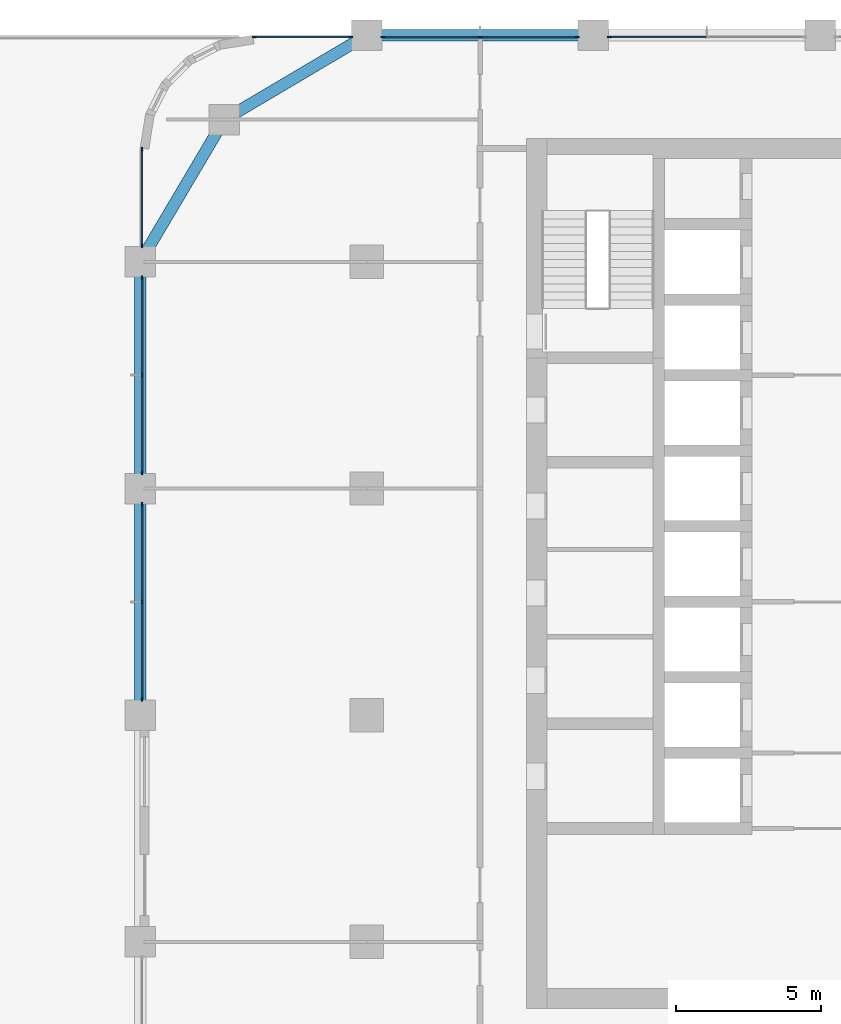
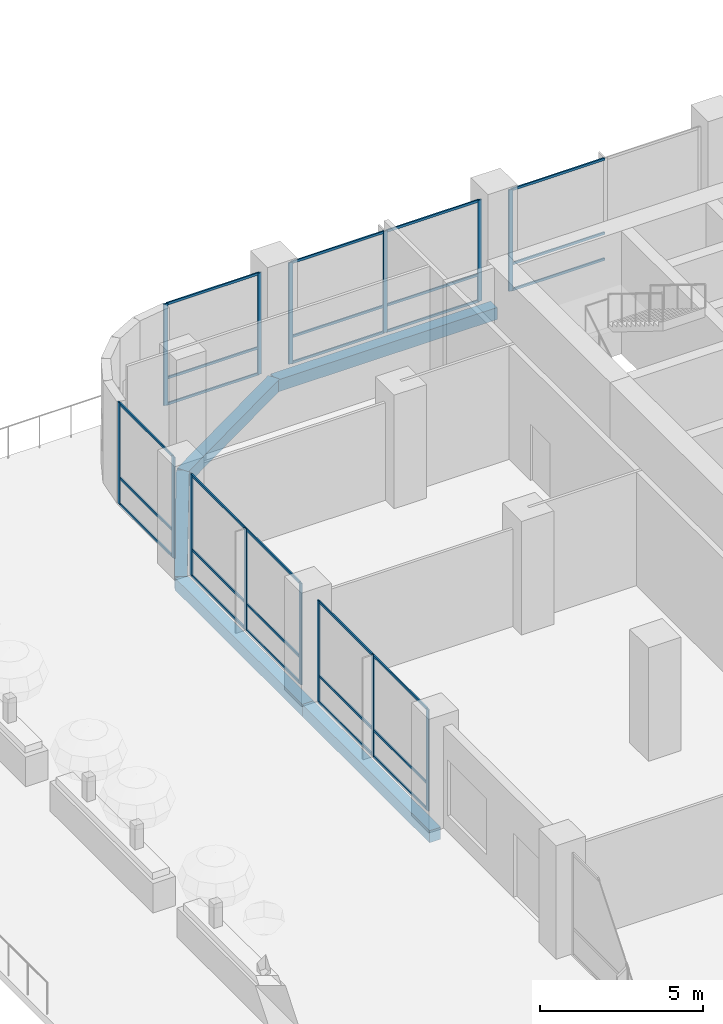
# One storey, part 6 of 31: 41 members, 5 beams, 6 elements without a shape of their own.
"""IFC4 building model written with IfcOpenShell, lengths in metres."""

import ifcopenshell
import ifcopenshell.guid

model = None  # the IFC model being written
_history = None  # IfcOwnerHistory: only IFC2X3 demands one
_inside = {}  # id of a spatial element -> (the spatial element, [elements in it])
_under = {}  # id of a project, library or spatial element -> (it, [spatial elements below it])
_declared = {}  # id of a project -> (the project, [libraries it declares])
_typed = {}  # id of a type object -> (the type object, [elements of that type])
_made_of = {}  # id of a material, layer set ... -> (it, [elements and type objects made of it])


def new_model(schema):
    """Start an empty IFC model of exactly this schema.

    Asked for "IFC4X3", IfcOpenShell would pick the latest addendum, in which some entities
    have other attributes; the version numbers below select the first issue.
    IFC2X3 requires an IfcOwnerHistory on every rooted entity: one is made here for all.
    """
    global model, _history
    if schema == "IFC4X3":
        model = ifcopenshell.file(schema_version=(4, 3, 0, 0))
    else:
        model = ifcopenshell.file(schema=schema)
    _inside.clear()
    _under.clear()
    _declared.clear()
    _typed.clear()
    _made_of.clear()
    _history = None
    if model.schema == "IFC2X3":
        org = make("IfcOrganization", Name="unknown")
        user = make(
            "IfcPersonAndOrganization",
            ThePerson=make("IfcPerson", FamilyName="unknown"),
            TheOrganization=org,
        )
        app = make(
            "IfcApplication",
            ApplicationDeveloper=org,
            Version="unknown",
            ApplicationFullName="unknown",
            ApplicationIdentifier="unknown",
        )
        _history = make(
            "IfcOwnerHistory",
            OwningUser=user,
            OwningApplication=app,
            ChangeAction="ADDED",
            CreationDate=0,
        )
    return model


def make(cls, **values):
    """One entity of the class cls with the attributes given. An attribute that is None is left unset."""
    return model.create_entity(
        cls, **{name: value for name, value in values.items() if value is not None}
    )


def rooted(cls, **values):
    """An entity with a GlobalId (a new one), such as an element, a storey or a relation."""
    return make(cls, GlobalId=ifcopenshell.guid.new(), OwnerHistory=_history, **values)


def si_unit(unit_type, name, prefix=None):
    """IfcSIUnit, for example si_unit("LENGTHUNIT", "METRE", prefix="MILLI")."""
    return make("IfcSIUnit", UnitType=unit_type, Prefix=prefix, Name=name)


def assignment(units):
    """IfcUnitAssignment: the units of a project."""
    return None if units is None else make("IfcUnitAssignment", Units=units)


def point(xyz):
    """IfcCartesianPoint."""
    return None if xyz is None else make("IfcCartesianPoint", Coordinates=xyz)


def direction(xyz):
    """IfcDirection."""
    return None if xyz is None else make("IfcDirection", DirectionRatios=xyz)


def frame(location, z_axis=None, x_axis=None):
    """IfcAxis2Placement3D, a coordinate frame: its origin and axes. An axis left out is left unset."""
    return make(
        "IfcAxis2Placement3D",
        Location=point(location),
        Axis=direction(z_axis),
        RefDirection=direction(x_axis),
    )


def frame_2d(location, x_axis=None):
    """IfcAxis2Placement2D, a coordinate frame in the plane: its origin and x axis."""
    return make(
        "IfcAxis2Placement2D", Location=point(location), RefDirection=direction(x_axis)
    )


def origin():
    """The frame at (0, 0, 0) with its axes left unset."""
    return frame((0.0, 0.0, 0.0))


def origin_2d():
    """The frame at (0, 0) in the plane with its x axis left unset."""
    return frame_2d((0.0, 0.0))


def place(relative_to, where):
    """IfcLocalPlacement: puts the frame where relative to a parent placement (None: the world)."""
    return make(
        "IfcLocalPlacement", PlacementRelTo=relative_to, RelativePlacement=where
    )


def context(
    kind, dimensions, precision=None, world=None, true_north=None, identifier=None
):
    """IfcGeometricRepresentationContext, for example the 3D "Model" context."""
    return make(
        "IfcGeometricRepresentationContext",
        ContextIdentifier=identifier,
        ContextType=kind,
        CoordinateSpaceDimension=dimensions,
        Precision=precision,
        WorldCoordinateSystem=world,
        TrueNorth=true_north,
    )


def subcontext(parent, identifier, kind, view, scale=None):
    """IfcGeometricRepresentationSubContext, for example "Body" below "Model"."""
    return make(
        "IfcGeometricRepresentationSubContext",
        ContextIdentifier=identifier,
        ContextType=kind,
        ParentContext=parent,
        TargetScale=scale,
        TargetView=view,
    )


def project(units=None, contexts=None):
    """IfcProject with its units and contexts."""
    return rooted(
        "IfcProject",
        Name="project",
        RepresentationContexts=contexts,
        UnitsInContext=assignment(units),
    )


def spatial(cls, under=None, at=None, **own):
    """A site, building, storey or space (cls), placed at a placement, below another one or the project."""
    s = rooted(cls, ObjectPlacement=at, **own)
    if under is not None:
        _under.setdefault(under.id(), (under, []))[1].append(s)
    return s


def profile(cls, at=None, kind="AREA", **sizes):
    """A parametric profile (cls). Its sizes go by their IFC names, for example OverallWidth=200.0."""
    return make(cls, ProfileType=kind, Position=at, **sizes)


def rectangle(**sizes):
    """IfcRectangleProfileDef."""
    return profile("IfcRectangleProfileDef", **sizes)


def extrude(swept, where, along, depth):
    """IfcExtrudedAreaSolid: the profile swept, set in the frame where, extruded along a direction by depth."""
    return make(
        "IfcExtrudedAreaSolid",
        SweptArea=swept,
        Position=where,
        ExtrudedDirection=direction(along),
        Depth=depth,
    )


def shape(context_of_items, identifier, shape_type, items):
    """IfcShapeRepresentation: the items that make up one representation, for example the "Body"."""
    return make(
        "IfcShapeRepresentation",
        ContextOfItems=context_of_items,
        RepresentationIdentifier=identifier,
        RepresentationType=shape_type,
        Items=items,
    )


def material(Name=None, Category=None):
    """IfcMaterial."""
    return make("IfcMaterial", Name=Name, Category=Category)


def material_profile(
    of_material, cross_section, Name=None, Category=None, Priority=None
):
    """IfcMaterialProfile: a cross section and its material."""
    return make(
        "IfcMaterialProfile",
        Name=Name,
        Material=of_material,
        Profile=cross_section,
        Priority=Priority,
        Category=Category,
    )


def profile_set(profiles, Name=None, composite=None):
    """IfcMaterialProfileSet."""
    return make(
        "IfcMaterialProfileSet",
        Name=Name,
        MaterialProfiles=profiles,
        CompositeProfile=composite,
    )


def made_of(thing, what):
    """Note that an element or type object is made of a material, layer set ...; save() writes the relation."""
    if what is not None:
        _made_of.setdefault(what.id(), (what, []))[1].append(thing)
    return thing


def type_object(cls, material=None, **own):
    """A type object (cls), such as IfcWallType, which elements share."""
    return made_of(rooted(cls, **own), material)


def element(
    cls,
    number,
    at=None,
    inside=None,
    cuts=None,
    type_object=None,
    material=None,
    context=None,
    identifier="Body",
    shape_type=None,
    held_by="IfcProductDefinitionShape",
    body=None,
    shapes=None,
    **own,
):
    """One element of the class cls, such as IfcWall. Its Tag is "e" and its number.

    at: its placement. inside: the storey or other place that contains it. cuts: it is an
    opening in that element (IfcRelVoidsElement). A single representation is given by context,
    identifier, shape_type and body (its items); several are given by shapes. held_by: the class
    of the entity that holds the representations. save() writes the other relations.
    """
    e = rooted(cls, Tag="e%d" % number, ObjectPlacement=at, **own)
    if body is not None:
        shapes = [shape(context, identifier, shape_type, body)]
    if shapes is not None:
        e.Representation = make(held_by, Representations=shapes)
    if inside is not None:
        _inside.setdefault(inside.id(), (inside, []))[1].append(e)
    if cuts is not None:
        rooted(
            "IfcRelVoidsElement", RelatingBuildingElement=cuts, RelatedOpeningElement=e
        )
    if type_object is not None:
        _typed.setdefault(type_object.id(), (type_object, []))[1].append(e)
    return made_of(e, material)


def aggregate(whole, parts):
    """IfcRelAggregates: a whole, such as a stair, and the parts it consists of."""
    return rooted("IfcRelAggregates", RelatingObject=whole, RelatedObjects=parts)


def save(model, path):
    """Write the relations noted so far, then the file.

    IfcRelAggregates (storeys below a building ...), IfcRelContainedInSpatialStructure (elements
    in a storey), IfcRelDefinesByType, IfcRelAssociatesMaterial and IfcRelDeclares: one each for
    every whole, place, type object, material and project.
    """
    for whole, parts in _under.values():
        aggregate(whole, parts)
    for where, things in _inside.values():
        rooted(
            "IfcRelContainedInSpatialStructure",
            RelatedElements=things,
            RelatingStructure=where,
        )
    for kind, things in _typed.values():
        rooted("IfcRelDefinesByType", RelatedObjects=things, RelatingType=kind)
    for what, things in _made_of.values():
        rooted("IfcRelAssociatesMaterial", RelatedObjects=things, RelatingMaterial=what)
    for by, libraries in _declared.values():
        rooted("IfcRelDeclares", RelatingContext=by, RelatedDefinitions=libraries)
    model.write(path)


model = new_model("IFC4")

# Units and contexts
model_context = context("Model", 3, precision=1e-05, world=origin(), true_north=direction((0.0, 1.0)))
body_context = subcontext(model_context, "Body", "Model", "MODEL_VIEW")
ifc_project = project(units=[si_unit("LENGTHUNIT", "METRE"), si_unit("AREAUNIT", "SQUARE_METRE"), si_unit("VOLUMEUNIT", "CUBIC_METRE"), si_unit("PLANEANGLEUNIT", "RADIAN"), si_unit("MASSUNIT", "GRAM", prefix="KILO")], contexts=[model_context])

# Site, building, storey
site_placement = place(None, origin())
site = spatial("IfcSite", under=ifc_project, at=site_placement, CompositionType="ELEMENT")
building_placement = place(site_placement, origin())
building = spatial("IfcBuilding", under=site, at=building_placement, Name="Ludao Terraces", CompositionType="ELEMENT")
storey_placement = place(building_placement, frame((0.0, 0.0, 15.0)))
storey = spatial("IfcBuildingStorey", under=building, at=storey_placement, Name="L03", CompositionType="ELEMENT", Elevation=15.0)

# Curtain wall, members
ifc_material_1 = material(Name="Aluminium curtain wall with fritted glass", Category="aluminium")
curtain_wall_type = type_object("IfcCurtainWallType", Name="ENV CW5 amenity glazing", PredefinedType="NOTDEFINED", material=ifc_material_1)
curtain_wall_1_placement = place(storey_placement, origin())
curtain_wall_1 = element("IfcCurtainWall", 1, at=curtain_wall_1_placement, inside=storey, type_object=curtain_wall_type, Name="Amenity glazing L03 N1", PredefinedType="NOTDEFINED")
ifc_material_2 = material(Name="Aluminium 6063-T6", Category="aluminium")
ifc_material_profile_1 = material_profile(ifc_material_2, rectangle(XDim=0.050048828125, YDim=0.139892578125, at=origin_2d()), Name="50 X 140")
ifc_profile_set_1 = profile_set([ifc_material_profile_1], Name="Aluminium 6063-T6")
member_type_1 = type_object("IfcMemberType", Name="ENV CW5 mullion 50x140", PredefinedType="MULLION", material=ifc_profile_set_1)
member_1_placement = place(storey_placement, frame((65.52490234375, 88.340087890625, 0.0), z_axis=(0.0, 0.0, 1.0), x_axis=(0.0, 1.0, 0.0)))
member_1 = element("IfcMember", 2, at=member_1_placement, type_object=member_type_1, Name="CW5 mullion 1", PredefinedType="MULLION", context=body_context, shape_type="SweptSolid", body=[
    extrude(rectangle(XDim=0.050048828125, YDim=0.139892578125, at=origin_2d()), origin(), (0.0, 0.0, 1.0), 3.800048828125),
])
member_2_placement = place(storey_placement, frame((68.85009765625, 88.340087890625, 0.0), z_axis=(0.0, 0.0, 1.0), x_axis=(0.0, 1.0, 0.0)))
member_2 = element("IfcMember", 3, at=member_2_placement, type_object=member_type_1, Name="CW5 mullion 2", PredefinedType="MULLION", context=body_context, shape_type="SweptSolid", body=[
    extrude(rectangle(XDim=0.050048828125, YDim=0.139892578125, at=origin_2d()), origin(), (0.0, 0.0, 1.0), 3.800048828125),
])

curtain_wall_2_placement = place(storey_placement, origin())
curtain_wall_2 = element("IfcCurtainWall", 4, at=curtain_wall_2_placement, inside=storey, type_object=curtain_wall_type, Name="Amenity glazing L03 N2", PredefinedType="NOTDEFINED")
member_3_placement = place(storey_placement, frame((69.949951171875, 88.340087890625, 0.0), z_axis=(0.0, 0.0, 1.0), x_axis=(0.0, 1.0, 0.0)))
member_3 = element("IfcMember", 5, at=member_3_placement, type_object=member_type_1, Name="CW5 mullion 1", PredefinedType="MULLION", context=body_context, shape_type="SweptSolid", body=[
    extrude(rectangle(XDim=0.050048828125, YDim=0.139892578125, at=origin_2d()), origin(), (0.0, 0.0, 1.0), 3.800048828125),
])
member_4_placement = place(storey_placement, frame((73.300048828125, 88.340087890625, 0.0), z_axis=(0.0, 0.0, 1.0), x_axis=(0.0, 1.0, 0.0)))
member_4 = element("IfcMember", 6, at=member_4_placement, type_object=member_type_1, Name="CW5 mullion 2", PredefinedType="MULLION", context=body_context, shape_type="SweptSolid", body=[
    extrude(rectangle(XDim=0.050048828125, YDim=0.139892578125, at=origin_2d()), origin(), (0.0, 0.0, 1.0), 3.800048828125),
])
member_5_placement = place(storey_placement, frame((76.64990234375, 88.340087890625, 0.0), z_axis=(0.0, 0.0, 1.0), x_axis=(0.0, 1.0, 0.0)))
member_5 = element("IfcMember", 7, at=member_5_placement, type_object=member_type_1, Name="CW5 mullion 3", PredefinedType="MULLION", context=body_context, shape_type="SweptSolid", body=[
    extrude(rectangle(XDim=0.050048828125, YDim=0.139892578125, at=origin_2d()), origin(), (0.0, 0.0, 1.0), 3.800048828125),
])

# Curtain wall, member
curtain_wall_3_placement = place(storey_placement, origin())
curtain_wall_3 = element("IfcCurtainWall", 8, at=curtain_wall_3_placement, inside=storey, type_object=curtain_wall_type, Name="Amenity glazing L03 N3", PredefinedType="NOTDEFINED")
member_6_placement = place(storey_placement, frame((77.75, 88.340087890625, 0.0), z_axis=(0.0, 0.0, 1.0), x_axis=(0.0, 1.0, 0.0)))
member_6 = element("IfcMember", 9, at=member_6_placement, type_object=member_type_1, Name="CW5 mullion 1", PredefinedType="MULLION", context=body_context, shape_type="SweptSolid", body=[
    extrude(rectangle(XDim=0.050048828125, YDim=0.139892578125, at=origin_2d()), origin(), (0.0, 0.0, 1.0), 3.800048828125),
])

# Curtain wall, members
curtain_wall_4_placement = place(storey_placement, origin())
curtain_wall_4 = element("IfcCurtainWall", 10, at=curtain_wall_4_placement, inside=storey, type_object=curtain_wall_type, Name="Amenity glazing L03 W4", PredefinedType="NOTDEFINED")
member_7_placement = place(storey_placement, frame((61.659912109375, 65.550048828125, 0.0), z_axis=(0.0, 0.0, 1.0), x_axis=(-1.0, 0.0, 0.0)))
member_7 = element("IfcMember", 11, at=member_7_placement, type_object=member_type_1, Name="CW5 mullion 1", PredefinedType="MULLION", context=body_context, shape_type="SweptSolid", body=[
    extrude(rectangle(XDim=0.050048828125, YDim=0.139892578125, at=origin_2d()), origin(), (0.0, 0.0, 1.0), 3.800048828125),
])
member_8_placement = place(storey_placement, frame((61.659912109375, 68.89990234375, 0.0), z_axis=(0.0, 0.0, 1.0), x_axis=(-1.0, 0.0, 0.0)))
member_8 = element("IfcMember", 12, at=member_8_placement, type_object=member_type_1, Name="CW5 mullion 2", PredefinedType="MULLION", context=body_context, shape_type="SweptSolid", body=[
    extrude(rectangle(XDim=0.050048828125, YDim=0.139892578125, at=origin_2d()), origin(), (0.0, 0.0, 1.0), 3.800048828125),
])
member_9_placement = place(storey_placement, frame((61.659912109375, 72.25, 0.0), z_axis=(0.0, 0.0, 1.0), x_axis=(-1.0, 0.0, 0.0)))
member_9 = element("IfcMember", 13, at=member_9_placement, type_object=member_type_1, Name="CW5 mullion 3", PredefinedType="MULLION", context=body_context, shape_type="SweptSolid", body=[
    extrude(rectangle(XDim=0.050048828125, YDim=0.139892578125, at=origin_2d()), origin(), (0.0, 0.0, 1.0), 3.800048828125),
])

curtain_wall_5_placement = place(storey_placement, origin())
curtain_wall_5 = element("IfcCurtainWall", 14, at=curtain_wall_5_placement, inside=storey, type_object=curtain_wall_type, Name="Amenity glazing L03 W5", PredefinedType="NOTDEFINED")
member_10_placement = place(storey_placement, frame((61.659912109375, 73.35009765625, 0.0), z_axis=(0.0, 0.0, 1.0), x_axis=(-1.0, 0.0, 0.0)))
member_10 = element("IfcMember", 15, at=member_10_placement, type_object=member_type_1, Name="CW5 mullion 1", PredefinedType="MULLION", context=body_context, shape_type="SweptSolid", body=[
    extrude(rectangle(XDim=0.050048828125, YDim=0.139892578125, at=origin_2d()), origin(), (0.0, 0.0, 1.0), 3.800048828125),
])
member_11_placement = place(storey_placement, frame((61.659912109375, 76.699951171875, 0.0), z_axis=(0.0, 0.0, 1.0), x_axis=(-1.0, 0.0, 0.0)))
member_11 = element("IfcMember", 16, at=member_11_placement, type_object=member_type_1, Name="CW5 mullion 2", PredefinedType="MULLION", context=body_context, shape_type="SweptSolid", body=[
    extrude(rectangle(XDim=0.050048828125, YDim=0.139892578125, at=origin_2d()), origin(), (0.0, 0.0, 1.0), 3.800048828125),
])
member_12_placement = place(storey_placement, frame((61.659912109375, 80.050048828125, 0.0), z_axis=(0.0, 0.0, 1.0), x_axis=(-1.0, 0.0, 0.0)))
member_12 = element("IfcMember", 17, at=member_12_placement, type_object=member_type_1, Name="CW5 mullion 3", PredefinedType="MULLION", context=body_context, shape_type="SweptSolid", body=[
    extrude(rectangle(XDim=0.050048828125, YDim=0.139892578125, at=origin_2d()), origin(), (0.0, 0.0, 1.0), 3.800048828125),
])

curtain_wall_6_placement = place(storey_placement, origin())
curtain_wall_6 = element("IfcCurtainWall", 18, at=curtain_wall_6_placement, inside=storey, type_object=curtain_wall_type, Name="Amenity glazing L03 W6", PredefinedType="NOTDEFINED")
member_13_placement = place(storey_placement, frame((61.659912109375, 81.14990234375, 0.0), z_axis=(0.0, 0.0, 1.0), x_axis=(-1.0, 0.0, 0.0)))
member_13 = element("IfcMember", 19, at=member_13_placement, type_object=member_type_1, Name="CW5 mullion 1", PredefinedType="MULLION", context=body_context, shape_type="SweptSolid", body=[
    extrude(rectangle(XDim=0.050048828125, YDim=0.139892578125, at=origin_2d()), origin(), (0.0, 0.0, 1.0), 3.800048828125),
])
member_14_placement = place(storey_placement, frame((61.659912109375, 84.47509765625, 0.0), z_axis=(0.0, 0.0, 1.0), x_axis=(-1.0, 0.0, 0.0)))
member_14 = element("IfcMember", 20, at=member_14_placement, type_object=member_type_1, Name="CW5 mullion 2", PredefinedType="MULLION", context=body_context, shape_type="SweptSolid", body=[
    extrude(rectangle(XDim=0.050048828125, YDim=0.139892578125, at=origin_2d()), origin(), (0.0, 0.0, 1.0), 3.800048828125),
])

# Member
ifc_material_profile_2 = material_profile(ifc_material_2, rectangle(XDim=0.050048828125, YDim=0.090087890625, at=origin_2d()), Name="50 X 90")
ifc_profile_set_2 = profile_set([ifc_material_profile_2], Name="Aluminium 6063-T6")
member_type_2 = type_object("IfcMemberType", Name="ENV CW5 transom 50x90", PredefinedType="USERDEFINED", material=ifc_profile_set_2)
member_15_placement = place(storey_placement, frame((65.550048828125, 88.340087890625, 0.02490234375), z_axis=(1.0, 0.0, 0.0), x_axis=(0.0, 1.0, 0.0)))
member_15 = element("IfcMember", 21, at=member_15_placement, type_object=member_type_2, Name="CW5 transom 1.1", ObjectType="TRANSOM", PredefinedType="USERDEFINED", context=body_context, shape_type="SweptSolid", body=[
    extrude(rectangle(XDim=0.050048828125, YDim=0.090087890625, at=origin_2d()), origin(), (0.0, 0.0, 1.0), 3.27490234375),
])

member_16_placement = place(storey_placement, frame((65.550048828125, 88.340087890625, 1.0), z_axis=(1.0, 0.0, 0.0), x_axis=(0.0, 1.0, 0.0)))
member_16 = element("IfcMember", 22, at=member_16_placement, type_object=member_type_2, Name="CW5 transom 1.2", ObjectType="TRANSOM", PredefinedType="USERDEFINED", context=body_context, shape_type="SweptSolid", body=[
    extrude(rectangle(XDim=0.050048828125, YDim=0.090087890625, at=origin_2d()), origin(), (0.0, 0.0, 1.0), 3.27490234375),
])

member_17_placement = place(storey_placement, frame((65.550048828125, 88.340087890625, 3.77490234375), z_axis=(1.0, 0.0, 0.0), x_axis=(0.0, 1.0, 0.0)))
member_17 = element("IfcMember", 23, at=member_17_placement, type_object=member_type_2, Name="CW5 transom 1.3", ObjectType="TRANSOM", PredefinedType="USERDEFINED", context=body_context, shape_type="SweptSolid", body=[
    extrude(rectangle(XDim=0.050048828125, YDim=0.090087890625, at=origin_2d()), origin(), (0.0, 0.0, 1.0), 3.27490234375),
])

aggregate(curtain_wall_1, [member_1, member_2, member_15, member_16, member_17])

member_18_placement = place(storey_placement, frame((69.97509765625, 88.340087890625, 0.02490234375), z_axis=(1.0, 0.0, 0.0), x_axis=(0.0, 1.0, 0.0)))
member_18 = element("IfcMember", 24, at=member_18_placement, type_object=member_type_2, Name="CW5 transom 1.1", ObjectType="TRANSOM", PredefinedType="USERDEFINED", context=body_context, shape_type="SweptSolid", body=[
    extrude(rectangle(XDim=0.050048828125, YDim=0.090087890625, at=origin_2d()), origin(), (0.0, 0.0, 1.0), 3.2998046875),
])

member_19_placement = place(storey_placement, frame((69.97509765625, 88.340087890625, 1.0), z_axis=(1.0, 0.0, 0.0), x_axis=(0.0, 1.0, 0.0)))
member_19 = element("IfcMember", 25, at=member_19_placement, type_object=member_type_2, Name="CW5 transom 1.2", ObjectType="TRANSOM", PredefinedType="USERDEFINED", context=body_context, shape_type="SweptSolid", body=[
    extrude(rectangle(XDim=0.050048828125, YDim=0.090087890625, at=origin_2d()), origin(), (0.0, 0.0, 1.0), 3.2998046875),
])

member_20_placement = place(storey_placement, frame((69.97509765625, 88.340087890625, 3.77490234375), z_axis=(1.0, 0.0, 0.0), x_axis=(0.0, 1.0, 0.0)))
member_20 = element("IfcMember", 26, at=member_20_placement, type_object=member_type_2, Name="CW5 transom 1.3", ObjectType="TRANSOM", PredefinedType="USERDEFINED", context=body_context, shape_type="SweptSolid", body=[
    extrude(rectangle(XDim=0.050048828125, YDim=0.090087890625, at=origin_2d()), origin(), (0.0, 0.0, 1.0), 3.2998046875),
])

member_21_placement = place(storey_placement, frame((73.324951171875, 88.340087890625, 0.02490234375), z_axis=(1.0, 0.0, 0.0), x_axis=(0.0, 1.0, 0.0)))
member_21 = element("IfcMember", 27, at=member_21_placement, type_object=member_type_2, Name="CW5 transom 2.1", ObjectType="TRANSOM", PredefinedType="USERDEFINED", context=body_context, shape_type="SweptSolid", body=[
    extrude(rectangle(XDim=0.050048828125, YDim=0.090087890625, at=origin_2d()), origin(), (0.0, 0.0, 1.0), 3.300048828125),
])

member_22_placement = place(storey_placement, frame((73.324951171875, 88.340087890625, 1.0), z_axis=(1.0, 0.0, 0.0), x_axis=(0.0, 1.0, 0.0)))
member_22 = element("IfcMember", 28, at=member_22_placement, type_object=member_type_2, Name="CW5 transom 2.2", ObjectType="TRANSOM", PredefinedType="USERDEFINED", context=body_context, shape_type="SweptSolid", body=[
    extrude(rectangle(XDim=0.050048828125, YDim=0.090087890625, at=origin_2d()), origin(), (0.0, 0.0, 1.0), 3.300048828125),
])

member_23_placement = place(storey_placement, frame((73.324951171875, 88.340087890625, 3.77490234375), z_axis=(1.0, 0.0, 0.0), x_axis=(0.0, 1.0, 0.0)))
member_23 = element("IfcMember", 29, at=member_23_placement, type_object=member_type_2, Name="CW5 transom 2.3", ObjectType="TRANSOM", PredefinedType="USERDEFINED", context=body_context, shape_type="SweptSolid", body=[
    extrude(rectangle(XDim=0.050048828125, YDim=0.090087890625, at=origin_2d()), origin(), (0.0, 0.0, 1.0), 3.300048828125),
])

aggregate(curtain_wall_2, [member_3, member_4, member_5, member_18, member_19, member_20, member_21, member_22, member_23])

member_24_placement = place(storey_placement, frame((77.77490234375, 88.340087890625, 0.02490234375), z_axis=(1.0, 0.0, 0.0), x_axis=(0.0, 1.0, 0.0)))
member_24 = element("IfcMember", 30, at=member_24_placement, type_object=member_type_2, Name="CW5 transom 1.1", ObjectType="TRANSOM", PredefinedType="USERDEFINED", context=body_context, shape_type="SweptSolid", body=[
    extrude(rectangle(XDim=0.050048828125, YDim=0.090087890625, at=origin_2d()), origin(), (0.0, 0.0, 1.0), 3.300048828125),
])

member_25_placement = place(storey_placement, frame((77.77490234375, 88.340087890625, 1.0), z_axis=(1.0, 0.0, 0.0), x_axis=(0.0, 1.0, 0.0)))
member_25 = element("IfcMember", 31, at=member_25_placement, type_object=member_type_2, Name="CW5 transom 1.2", ObjectType="TRANSOM", PredefinedType="USERDEFINED", context=body_context, shape_type="SweptSolid", body=[
    extrude(rectangle(XDim=0.050048828125, YDim=0.090087890625, at=origin_2d()), origin(), (0.0, 0.0, 1.0), 3.300048828125),
])

member_26_placement = place(storey_placement, frame((77.77490234375, 88.340087890625, 3.77490234375), z_axis=(1.0, 0.0, 0.0), x_axis=(0.0, 1.0, 0.0)))
member_26 = element("IfcMember", 32, at=member_26_placement, type_object=member_type_2, Name="CW5 transom 1.3", ObjectType="TRANSOM", PredefinedType="USERDEFINED", context=body_context, shape_type="SweptSolid", body=[
    extrude(rectangle(XDim=0.050048828125, YDim=0.090087890625, at=origin_2d()), origin(), (0.0, 0.0, 1.0), 3.300048828125),
])

aggregate(curtain_wall_3, [member_6, member_24, member_25, member_26])

member_27_placement = place(storey_placement, frame((61.659912109375, 65.574951171875, 0.02490234375), z_axis=(0.0, 1.0, 0.0), x_axis=(-1.0, 0.0, 0.0)))
member_27 = element("IfcMember", 33, at=member_27_placement, type_object=member_type_2, Name="CW5 transom 1.1", ObjectType="TRANSOM", PredefinedType="USERDEFINED", context=body_context, shape_type="SweptSolid", body=[
    extrude(rectangle(XDim=0.050048828125, YDim=0.090087890625, at=origin_2d()), origin(), (0.0, 0.0, 1.0), 3.300048828125),
])

member_28_placement = place(storey_placement, frame((61.659912109375, 65.574951171875, 1.0), z_axis=(0.0, 1.0, 0.0), x_axis=(-1.0, 0.0, 0.0)))
member_28 = element("IfcMember", 34, at=member_28_placement, type_object=member_type_2, Name="CW5 transom 1.2", ObjectType="TRANSOM", PredefinedType="USERDEFINED", context=body_context, shape_type="SweptSolid", body=[
    extrude(rectangle(XDim=0.050048828125, YDim=0.090087890625, at=origin_2d()), origin(), (0.0, 0.0, 1.0), 3.300048828125),
])

member_29_placement = place(storey_placement, frame((61.659912109375, 65.574951171875, 3.77490234375), z_axis=(0.0, 1.0, 0.0), x_axis=(-1.0, 0.0, 0.0)))
member_29 = element("IfcMember", 35, at=member_29_placement, type_object=member_type_2, Name="CW5 transom 1.3", ObjectType="TRANSOM", PredefinedType="USERDEFINED", context=body_context, shape_type="SweptSolid", body=[
    extrude(rectangle(XDim=0.050048828125, YDim=0.090087890625, at=origin_2d()), origin(), (0.0, 0.0, 1.0), 3.300048828125),
])

member_30_placement = place(storey_placement, frame((61.659912109375, 68.925048828125, 0.02490234375), z_axis=(0.0, 1.0, 0.0), x_axis=(-1.0, 0.0, 0.0)))
member_30 = element("IfcMember", 36, at=member_30_placement, type_object=member_type_2, Name="CW5 transom 2.1", ObjectType="TRANSOM", PredefinedType="USERDEFINED", context=body_context, shape_type="SweptSolid", body=[
    extrude(rectangle(XDim=0.050048828125, YDim=0.090087890625, at=origin_2d()), origin(), (0.0, 0.0, 1.0), 3.300048828125),
])

member_31_placement = place(storey_placement, frame((61.659912109375, 68.925048828125, 1.0), z_axis=(0.0, 1.0, 0.0), x_axis=(-1.0, 0.0, 0.0)))
member_31 = element("IfcMember", 37, at=member_31_placement, type_object=member_type_2, Name="CW5 transom 2.2", ObjectType="TRANSOM", PredefinedType="USERDEFINED", context=body_context, shape_type="SweptSolid", body=[
    extrude(rectangle(XDim=0.050048828125, YDim=0.090087890625, at=origin_2d()), origin(), (0.0, 0.0, 1.0), 3.300048828125),
])

member_32_placement = place(storey_placement, frame((61.659912109375, 68.925048828125, 3.77490234375), z_axis=(0.0, 1.0, 0.0), x_axis=(-1.0, 0.0, 0.0)))
member_32 = element("IfcMember", 38, at=member_32_placement, type_object=member_type_2, Name="CW5 transom 2.3", ObjectType="TRANSOM", PredefinedType="USERDEFINED", context=body_context, shape_type="SweptSolid", body=[
    extrude(rectangle(XDim=0.050048828125, YDim=0.090087890625, at=origin_2d()), origin(), (0.0, 0.0, 1.0), 3.300048828125),
])

aggregate(curtain_wall_4, [member_7, member_8, member_9, member_27, member_28, member_29, member_30, member_31, member_32])

member_33_placement = place(storey_placement, frame((61.659912109375, 73.375, 0.02490234375), z_axis=(0.0, 1.0, 0.0), x_axis=(-1.0, 0.0, 0.0)))
member_33 = element("IfcMember", 39, at=member_33_placement, type_object=member_type_2, Name="CW5 transom 1.1", ObjectType="TRANSOM", PredefinedType="USERDEFINED", context=body_context, shape_type="SweptSolid", body=[
    extrude(rectangle(XDim=0.050048828125, YDim=0.090087890625, at=origin_2d()), origin(), (0.0, 0.0, 1.0), 3.300048828125),
])

member_34_placement = place(storey_placement, frame((61.659912109375, 73.375, 1.0), z_axis=(0.0, 1.0, 0.0), x_axis=(-1.0, 0.0, 0.0)))
member_34 = element("IfcMember", 40, at=member_34_placement, type_object=member_type_2, Name="CW5 transom 1.2", ObjectType="TRANSOM", PredefinedType="USERDEFINED", context=body_context, shape_type="SweptSolid", body=[
    extrude(rectangle(XDim=0.050048828125, YDim=0.090087890625, at=origin_2d()), origin(), (0.0, 0.0, 1.0), 3.300048828125),
])

member_35_placement = place(storey_placement, frame((61.659912109375, 73.375, 3.77490234375), z_axis=(0.0, 1.0, 0.0), x_axis=(-1.0, 0.0, 0.0)))
member_35 = element("IfcMember", 41, at=member_35_placement, type_object=member_type_2, Name="CW5 transom 1.3", ObjectType="TRANSOM", PredefinedType="USERDEFINED", context=body_context, shape_type="SweptSolid", body=[
    extrude(rectangle(XDim=0.050048828125, YDim=0.090087890625, at=origin_2d()), origin(), (0.0, 0.0, 1.0), 3.300048828125),
])

member_36_placement = place(storey_placement, frame((61.659912109375, 76.72509765625, 0.02490234375), z_axis=(0.0, 1.0, 0.0), x_axis=(-1.0, 0.0, 0.0)))
member_36 = element("IfcMember", 42, at=member_36_placement, type_object=member_type_2, Name="CW5 transom 2.1", ObjectType="TRANSOM", PredefinedType="USERDEFINED", context=body_context, shape_type="SweptSolid", body=[
    extrude(rectangle(XDim=0.050048828125, YDim=0.090087890625, at=origin_2d()), origin(), (0.0, 0.0, 1.0), 3.2998046875),
])

member_37_placement = place(storey_placement, frame((61.659912109375, 76.72509765625, 1.0), z_axis=(0.0, 1.0, 0.0), x_axis=(-1.0, 0.0, 0.0)))
member_37 = element("IfcMember", 43, at=member_37_placement, type_object=member_type_2, Name="CW5 transom 2.2", ObjectType="TRANSOM", PredefinedType="USERDEFINED", context=body_context, shape_type="SweptSolid", body=[
    extrude(rectangle(XDim=0.050048828125, YDim=0.090087890625, at=origin_2d()), origin(), (0.0, 0.0, 1.0), 3.2998046875),
])

member_38_placement = place(storey_placement, frame((61.659912109375, 76.72509765625, 3.77490234375), z_axis=(0.0, 1.0, 0.0), x_axis=(-1.0, 0.0, 0.0)))
member_38 = element("IfcMember", 44, at=member_38_placement, type_object=member_type_2, Name="CW5 transom 2.3", ObjectType="TRANSOM", PredefinedType="USERDEFINED", context=body_context, shape_type="SweptSolid", body=[
    extrude(rectangle(XDim=0.050048828125, YDim=0.090087890625, at=origin_2d()), origin(), (0.0, 0.0, 1.0), 3.2998046875),
])

aggregate(curtain_wall_5, [member_10, member_11, member_12, member_33, member_34, member_35, member_36, member_37, member_38])

member_39_placement = place(storey_placement, frame((61.659912109375, 81.175048828125, 0.02490234375), z_axis=(0.0, 1.0, 0.0), x_axis=(-1.0, 0.0, 0.0)))
member_39 = element("IfcMember", 45, at=member_39_placement, type_object=member_type_2, Name="CW5 transom 1.1", ObjectType="TRANSOM", PredefinedType="USERDEFINED", context=body_context, shape_type="SweptSolid", body=[
    extrude(rectangle(XDim=0.050048828125, YDim=0.090087890625, at=origin_2d()), origin(), (0.0, 0.0, 1.0), 3.27490234375),
])

member_40_placement = place(storey_placement, frame((61.659912109375, 81.175048828125, 1.0), z_axis=(0.0, 1.0, 0.0), x_axis=(-1.0, 0.0, 0.0)))
member_40 = element("IfcMember", 46, at=member_40_placement, type_object=member_type_2, Name="CW5 transom 1.2", ObjectType="TRANSOM", PredefinedType="USERDEFINED", context=body_context, shape_type="SweptSolid", body=[
    extrude(rectangle(XDim=0.050048828125, YDim=0.090087890625, at=origin_2d()), origin(), (0.0, 0.0, 1.0), 3.27490234375),
])

member_41_placement = place(storey_placement, frame((61.659912109375, 81.175048828125, 3.77490234375), z_axis=(0.0, 1.0, 0.0), x_axis=(-1.0, 0.0, 0.0)))
member_41 = element("IfcMember", 47, at=member_41_placement, type_object=member_type_2, Name="CW5 transom 1.3", ObjectType="TRANSOM", PredefinedType="USERDEFINED", context=body_context, shape_type="SweptSolid", body=[
    extrude(rectangle(XDim=0.050048828125, YDim=0.090087890625, at=origin_2d()), origin(), (0.0, 0.0, 1.0), 3.27490234375),
])

aggregate(curtain_wall_6, [member_13, member_14, member_39, member_40, member_41])

# Beams
ifc_material_3 = material(Name="Concrete C40", Category="concrete")
ifc_material_profile_3 = material_profile(ifc_material_3, rectangle(XDim=0.39990234375, YDim=0.449951171875, at=origin_2d()), Name="400 X 450")
ifc_profile_set_3 = profile_set([ifc_material_profile_3], Name="Concrete C40")
beam_type = type_object("IfcBeamType", Name="RC beam 400x450 C40", PredefinedType="BEAM", material=ifc_profile_set_3)
beam_1_placement = place(storey_placement, frame((64.5, 85.5, -0.574951171875), z_axis=(0.860579751256, 0.509315709288, 0.0), x_axis=(-0.509315709288, 0.860579751256, 0.0)))
element("IfcBeam", 48, at=beam_1_placement, inside=storey, type_object=beam_type, Name="Spandrel beam L03 N7", PredefinedType="BEAM", context=body_context, shape_type="SweptSolid", body=[
    extrude(rectangle(XDim=0.39990234375, YDim=0.449951171875, at=origin_2d()), origin(), (0.0, 0.0, 1.0), 5.693603515625),
])
for number, where, z_axis, x_axis, name in (
    (49, (69.39990234375, 88.39990234375, -0.574951171875), (1.0, 0.0, 0.0), (0.0, 1.0, 0.0), "Spandrel beam L03 N8"),
    (50, (61.60009765625, 65.0, -0.574951171875), (0.0, 1.0, 0.0), (-1.0, 0.0, 0.0), "Spandrel beam L03 W16"),
    (51, (61.60009765625, 72.800048828125, -0.574951171875), (0.0, 1.0, 0.0), (-1.0, 0.0, 0.0), "Spandrel beam L03 W17"),
):
    element("IfcBeam", number, at=place(storey_placement, frame(where, z_axis=z_axis, x_axis=x_axis)), inside=storey, type_object=beam_type, Name=name, PredefinedType="BEAM", context=body_context, shape_type="SweptSolid", body=[
        extrude(rectangle(XDim=0.39990234375, YDim=0.449951171875, at=origin_2d()), origin(), (0.0, 0.0, 1.0), 7.800048828125),
    ])
beam_2_placement = place(storey_placement, frame((61.60009765625, 80.60009765625, -0.574951171875), z_axis=(0.509315709288, 0.860579751256, 0.0), x_axis=(-0.860579751256, 0.509315709288, 0.0)))
element("IfcBeam", 52, at=beam_2_placement, inside=storey, type_object=beam_type, Name="Spandrel beam L03 W18", PredefinedType="BEAM", context=body_context, shape_type="SweptSolid", body=[
    extrude(rectangle(XDim=0.39990234375, YDim=0.449951171875, at=origin_2d()), origin(), (0.0, 0.0, 1.0), 5.693603515625),
])

save(model, "model.ifc")
